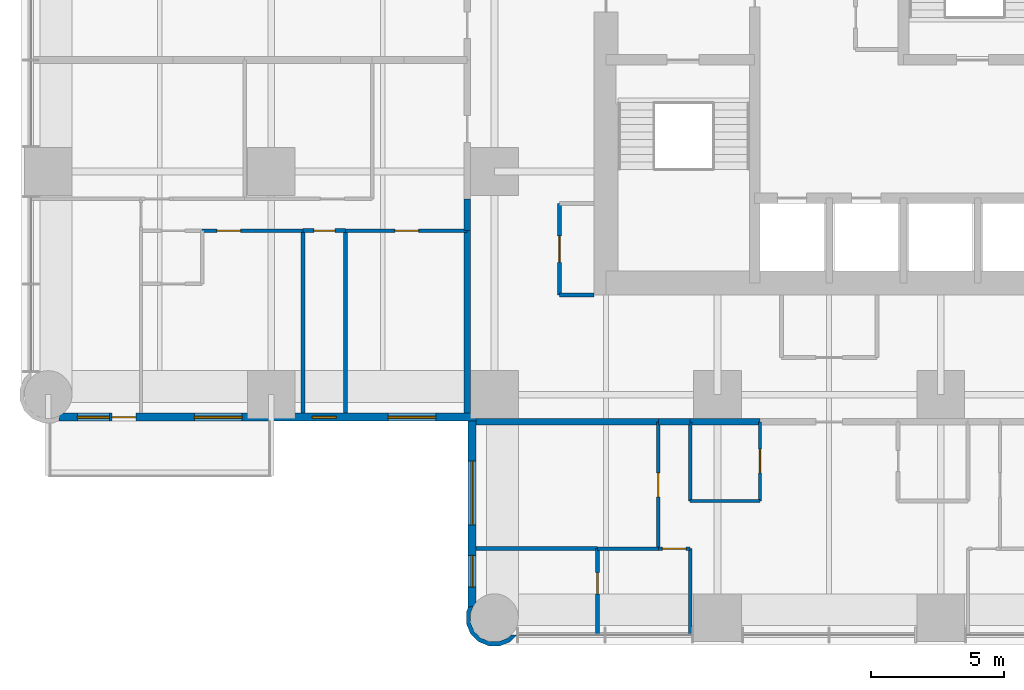
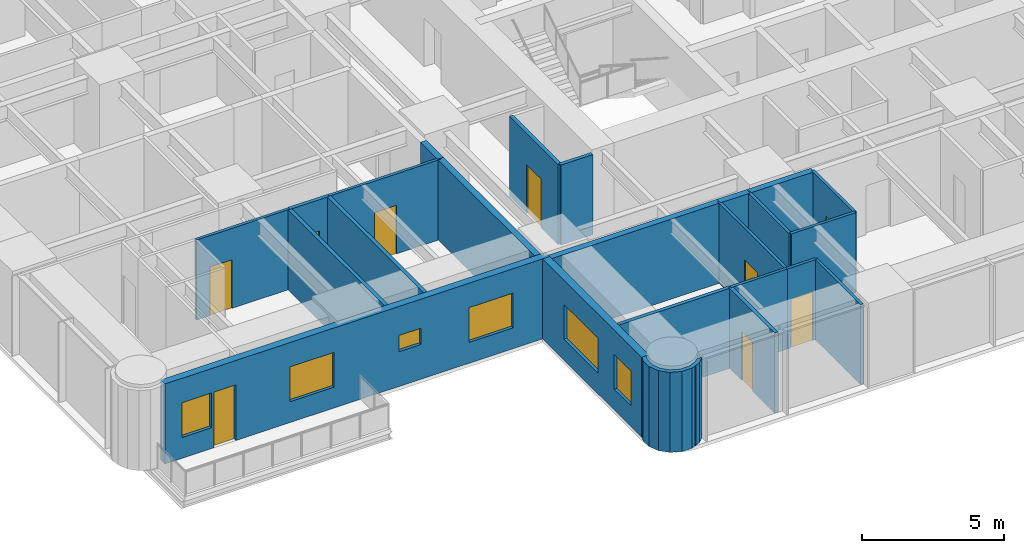
# One storey, part 6 of 14: 24 walls, 9 doors, 6 windows, 15 openings.
"""IFC4 building model written with IfcOpenShell, lengths in metres."""

from ifc_helpers import new_model, si_unit, direction, frame, frame_2d, origin, place, context, subcontext, project, spatial, polyline, rectangle, outline, extrude, material, layer, layer_set, type_object, element, fill, save


model = new_model("IFC4")

# Units and contexts
model_context = context("Model", 3, precision=1e-05, world=origin(), true_north=direction((0.0, 1.0)))
body_context = subcontext(model_context, "Body", "Model", "MODEL_VIEW")
ifc_project = project(units=[si_unit("LENGTHUNIT", "METRE"), si_unit("AREAUNIT", "SQUARE_METRE"), si_unit("VOLUMEUNIT", "CUBIC_METRE"), si_unit("PLANEANGLEUNIT", "RADIAN"), si_unit("MASSUNIT", "GRAM", prefix="KILO")], contexts=[model_context])

# Site, building, storey
site_placement = place(None, origin())
site = spatial("IfcSite", under=ifc_project, at=site_placement, CompositionType="ELEMENT")
building_placement = place(site_placement, origin())
building = spatial("IfcBuilding", under=site, at=building_placement, Name="Torre Alcanfor", CompositionType="ELEMENT")
storey_placement = place(building_placement, frame((0.0, 0.0, 170.10009765625)))
storey = spatial("IfcBuildingStorey", under=building, at=storey_placement, Name="L44", CompositionType="ELEMENT", Elevation=170.10009765625)

# Walls
ifc_material_1 = material(Name="Concrete block masonry, hollow blocks NMX-C-404 9 MPa", Category="masonry")
ifc_layer_1 = layer(ifc_material_1, 0.25)
ifc_layer_set_1 = layer_set([ifc_layer_1], Name="Apartment entrance wall 250 EI 60")
wall_type_1 = type_object("IfcWallType", Name="Apartment entrance wall 250 EI 60", PredefinedType="PARTITIONING", material=ifc_layer_set_1)
wall_1_placement = place(storey_placement, frame((26.800048828125, 15.77490234375, 0.0), z_axis=(0.0, 0.0, 1.0), x_axis=(-1.0, 0.0, 0.0)))
element("IfcWall", 1, at=wall_1_placement, inside=storey, type_object=wall_type_1, Name="Partition L44-CORR / L44-SX-KITCHEN", PredefinedType="PARTITIONING", context=body_context, shape_type="SweptSolid", body=[
    extrude(rectangle(XDim=2.629150390625, YDim=0.25, at=frame_2d((1.314453125, 0.0))), origin(), (0.0, 0.0, 1.0), 3.449951171875),
])
wall_2_placement = place(storey_placement, frame((24.1708984375, 15.77490234375, 0.0), z_axis=(0.0, 0.0, 1.0), x_axis=(-1.0, 0.0, 0.0)))
element("IfcWall", 2, at=wall_2_placement, inside=storey, type_object=wall_type_1, Name="Partition L44-CORR / L44-SX-LIVING", PredefinedType="PARTITIONING", context=body_context, shape_type="SweptSolid", body=[
    extrude(rectangle(XDim=1.199951171875, YDim=0.25, at=frame_2d((0.60009765625, 0.0))), origin(), (0.0, 0.0, 1.0), 3.449951171875),
])
wall_3_placement = place(storey_placement, frame((22.970947265625, 15.77490234375, 0.0), z_axis=(0.0, 0.0, 1.0), x_axis=(-1.0, 0.0, 0.0)))
element("IfcWall", 3, at=wall_3_placement, inside=storey, type_object=wall_type_1, Name="Partition L44-CORR / L44-SX-BED3", PredefinedType="PARTITIONING", context=body_context, shape_type="SweptSolid", body=[
    extrude(rectangle(XDim=6.870849609375, YDim=0.25, at=frame_2d((3.435546875, 0.0))), origin(), (0.0, 0.0, 1.0), 3.449951171875),
])
wall_4_placement = place(storey_placement, frame((15.77490234375, 22.970947265625, 0.0), z_axis=(0.0, 0.0, 1.0), x_axis=(0.0, 1.0, 0.0)))
element("IfcWall", 4, at=wall_4_placement, inside=storey, type_object=wall_type_1, Name="Partition L44-CORR / L44-W1-HALL", PredefinedType="PARTITIONING", context=body_context, shape_type="SweptSolid", body=[
    extrude(rectangle(XDim=1.199951171875, YDim=0.25, at=frame_2d((0.60009765625, 0.0))), origin(), (0.0, 0.0, 1.0), 3.449951171875),
])
wall_5_placement = place(storey_placement, frame((15.77490234375, 16.10009765625, 0.0), z_axis=(0.0, 0.0, 1.0), x_axis=(0.0, 1.0, 0.0)))
element("IfcWall", 5, at=wall_5_placement, inside=storey, type_object=wall_type_1, Name="Partition L44-CORR / L44-W1-BED2", PredefinedType="PARTITIONING", context=body_context, shape_type="SweptSolid", body=[
    extrude(rectangle(XDim=6.870849609375, YDim=0.25, at=frame_2d((3.435546875, 0.0))), origin(), (0.0, 0.0, 1.0), 3.449951171875),
])

# Wall, opening, door
ifc_material_2 = material(Name="Gypsum board on steel studs", Category="steel")
ifc_layer_2 = layer(ifc_material_2, 0.1201171875)
ifc_layer_set_2 = layer_set([ifc_layer_2], Name="Apartment partition 120")
wall_type_2 = type_object("IfcWallType", Name="Apartment partition 120", PredefinedType="PARTITIONING", material=ifc_layer_set_2)
wall_6_placement = place(storey_placement, frame((26.800048828125, 15.77490234375, 0.0), z_axis=(0.0, 0.0, 1.0), x_axis=(0.0, -1.0, 0.0)))
wall_6 = element("IfcWall", 6, at=wall_6_placement, inside=storey, type_object=wall_type_2, Name="Partition L44-SX-ZAG / L44-SX-KITCHEN", PredefinedType="PARTITIONING", context=body_context, shape_type="SweptSolid", body=[
    extrude(rectangle(XDim=2.974853515625, YDim=0.1201171875, at=frame_2d((1.4873046875, 0.0))), origin(), (0.0, 0.0, 1.0), 3.449951171875),
])
opening_1_placement = place(wall_6_placement, frame((1.02490234375, 0.0, 0.0)))
opening_1 = element("IfcOpeningElement", 7, at=opening_1_placement, cuts=wall_6, Name="Opening D-R1", PredefinedType="OPENING", context=body_context, shape_type="SweptSolid", body=[
    extrude(rectangle(XDim=0.89990234375, YDim=2.10009765625, at=frame_2d((0.449951171875, 1.050048828125))), frame((0.0, 0.070068359375, 0.0), z_axis=(0.0, -1.0, 0.0), x_axis=(1.0, 0.0, 0.0)), (0.0, 0.0, 1.0), 0.14013671875),
])
ifc_material_3 = material(Name="Timber", Category="wood")
door_type_1 = type_object("IfcDoorType", Name="Internal door 900x2100", OperationType="SINGLE_SWING_LEFT", PredefinedType="DOOR", material=ifc_material_3)
door_1_placement = place(opening_1_placement, frame((0.89990234375, 0.0, 0.0), z_axis=(0.0, 0.0, 1.0), x_axis=(-1.0, 0.0, 0.0)))
door_1 = element("IfcDoor", 8, at=door_1_placement, inside=storey, type_object=door_type_1, Name="Door L44-SX kitchen", OperationType="SINGLE_SWING_RIGHT", OverallHeight=2.10009765625, OverallWidth=0.89990234375, PredefinedType="DOOR", context=body_context, shape_type="SweptSolid", body=[
    extrude(rectangle(XDim=0.89990234375, YDim=2.10009765625, at=frame_2d((0.449951171875, 1.050048828125))), frame((0.0, 0.025146484375, 0.0), z_axis=(0.0, -1.0, 0.0), x_axis=(1.0, 0.0, 0.0)), (0.0, 0.0, 1.0), 0.050048828125),
])
fill(opening_1, door_1)

# Walls
wall_7_placement = place(storey_placement, frame((24.1708984375, 15.77490234375, 0.0), z_axis=(0.0, 0.0, 1.0), x_axis=(0.0, -1.0, 0.0)))
element("IfcWall", 9, at=wall_7_placement, inside=storey, type_object=wall_type_2, Name="Partition L44-SX-KITCHEN / L44-SX-LIVING", PredefinedType="PARTITIONING", context=body_context, shape_type="SweptSolid", body=[
    extrude(rectangle(XDim=2.974853515625, YDim=0.1201171875, at=frame_2d((1.4873046875, 0.0))), origin(), (0.0, 0.0, 1.0), 3.449951171875),
])
wall_8_placement = place(storey_placement, frame((24.1708984375, 12.800048828125, 0.0), z_axis=(0.0, 0.0, 1.0), x_axis=(1.0, 0.0, 0.0)))
element("IfcWall", 10, at=wall_8_placement, inside=storey, type_object=wall_type_2, Name="Partition L44-SX-KITCHEN / L44-SX-LIVING", PredefinedType="PARTITIONING", context=body_context, shape_type="SweptSolid", body=[
    extrude(rectangle(XDim=2.629150390625, YDim=0.1201171875, at=frame_2d((1.314453125, 0.0))), origin(), (0.0, 0.0, 1.0), 3.449951171875),
])

# Wall, opening, door
wall_9_placement = place(storey_placement, frame((22.970947265625, 11.0, 0.0), z_axis=(0.0, 0.0, 1.0), x_axis=(0.0, 1.0, 0.0)))
wall_9 = element("IfcWall", 11, at=wall_9_placement, inside=storey, type_object=wall_type_2, Name="Partition L44-SX-LIVING / L44-SX-BED3", PredefinedType="PARTITIONING", context=body_context, shape_type="SweptSolid", body=[
    extrude(rectangle(XDim=4.77490234375, YDim=0.1201171875, at=frame_2d((2.387451171875, 0.0))), origin(), (0.0, 0.0, 1.0), 3.449951171875),
])
opening_2_placement = place(wall_9_placement, frame((1.949951171875, 0.0, 0.0)))
opening_2 = element("IfcOpeningElement", 12, at=opening_2_placement, cuts=wall_9, Name="Opening D-R1", PredefinedType="OPENING", context=body_context, shape_type="SweptSolid", body=[
    extrude(rectangle(XDim=0.89990234375, YDim=2.10009765625, at=frame_2d((0.449951171875, 1.050048828125))), frame((0.0, 0.070068359375, 0.0), z_axis=(0.0, -1.0, 0.0), x_axis=(1.0, 0.0, 0.0)), (0.0, 0.0, 1.0), 0.14013671875),
])
door_2_placement = place(opening_2_placement, origin())
door_2 = element("IfcDoor", 13, at=door_2_placement, inside=storey, type_object=door_type_1, Name="Door L44-SX bed3", OperationType="SINGLE_SWING_RIGHT", OverallHeight=2.10009765625, OverallWidth=0.89990234375, PredefinedType="DOOR", context=body_context, shape_type="SweptSolid", body=[
    extrude(rectangle(XDim=0.89990234375, YDim=2.10009765625, at=frame_2d((0.449951171875, 1.050048828125))), frame((0.0, 0.02490234375, 0.0), z_axis=(0.0, -1.0, 0.0), x_axis=(1.0, 0.0, 0.0)), (0.0, 0.0, 1.0), 0.050048828125),
])
fill(opening_2, door_2)

# Wall
wall_10_placement = place(storey_placement, frame((24.1708984375, 7.75, 0.0), z_axis=(0.0, 0.0, 1.0), x_axis=(0.0, 1.0, 0.0)))
element("IfcWall", 14, at=wall_10_placement, inside=storey, type_object=wall_type_2, Name="Partition L44-SX-LIVING / L44-SX-BED1", PredefinedType="PARTITIONING", context=body_context, shape_type="SweptSolid", body=[
    extrude(rectangle(XDim=3.25, YDim=0.1201171875, at=frame_2d((1.625, 0.0))), origin(), (0.0, 0.0, 1.0), 3.449951171875),
])

# Wall, opening, door
wall_11_placement = place(storey_placement, frame((24.1708984375, 11.0, 0.0), z_axis=(0.0, 0.0, 1.0), x_axis=(-1.0, 0.0, 0.0)))
wall_11 = element("IfcWall", 15, at=wall_11_placement, inside=storey, type_object=wall_type_2, Name="Partition L44-SX-LIVING / L44-SX-BED1", PredefinedType="PARTITIONING", context=body_context, shape_type="SweptSolid", body=[
    extrude(rectangle(XDim=1.199951171875, YDim=0.1201171875, at=frame_2d((0.60009765625, 0.0))), origin(), (0.0, 0.0, 1.0), 3.449951171875),
])
opening_3_placement = place(wall_11_placement, frame((0.15087890625, 0.0, 0.0)))
opening_3 = element("IfcOpeningElement", 16, at=opening_3_placement, cuts=wall_11, Name="Opening D-R1", PredefinedType="OPENING", context=body_context, shape_type="SweptSolid", body=[
    extrude(rectangle(XDim=0.89990234375, YDim=2.10009765625, at=frame_2d((0.449951171875, 1.050048828125))), frame((0.0, 0.070068359375, 0.0), z_axis=(0.0, -1.0, 0.0), x_axis=(1.0, 0.0, 0.0)), (0.0, 0.0, 1.0), 0.14013671875),
])
door_3_placement = place(opening_3_placement, origin())
door_3 = element("IfcDoor", 17, at=door_3_placement, inside=storey, type_object=door_type_1, Name="Door L44-SX bed1", OperationType="SINGLE_SWING_LEFT", OverallHeight=2.10009765625, OverallWidth=0.89990234375, PredefinedType="DOOR", context=body_context, shape_type="SweptSolid", body=[
    extrude(rectangle(XDim=0.89990234375, YDim=2.10009765625, at=frame_2d((0.449951171875, 1.050048828125))), frame((0.0, 0.02490234375, 0.0), z_axis=(0.0, -1.0, 0.0), x_axis=(1.0, 0.0, 0.0)), (0.0, 0.0, 1.0), 0.050048828125),
])
fill(opening_3, door_3)

# Wall
wall_12_placement = place(storey_placement, frame((20.68603515625, 11.0, 0.0), z_axis=(0.0, 0.0, 1.0), x_axis=(1.0, 0.0, 0.0)))
element("IfcWall", 18, at=wall_12_placement, inside=storey, type_object=wall_type_2, Name="Partition L44-SX-BED3 / L44-SX-BED1", PredefinedType="PARTITIONING", context=body_context, shape_type="SweptSolid", body=[
    extrude(rectangle(XDim=2.284912109375, YDim=0.1201171875, at=frame_2d((1.142578125, 0.0))), origin(), (0.0, 0.0, 1.0), 3.449951171875),
])

# Wall, opening, door
wall_13_placement = place(storey_placement, frame((11.199951171875, 22.970947265625, 0.0), z_axis=(0.0, 0.0, 1.0), x_axis=(1.0, 0.0, 0.0)))
wall_13 = element("IfcWall", 19, at=wall_13_placement, inside=storey, type_object=wall_type_2, Name="Partition L44-W1-HALL / L44-W1-BED2", PredefinedType="PARTITIONING", context=body_context, shape_type="SweptSolid", body=[
    extrude(rectangle(XDim=4.574951171875, YDim=0.1201171875, at=frame_2d((2.28759765625, 0.0))), origin(), (0.0, 0.0, 1.0), 3.449951171875),
])
opening_4_placement = place(wall_13_placement, frame((1.85009765625, 0.0, 0.0)))
opening_4 = element("IfcOpeningElement", 20, at=opening_4_placement, cuts=wall_13, Name="Opening D-R1", PredefinedType="OPENING", context=body_context, shape_type="SweptSolid", body=[
    extrude(rectangle(XDim=0.89990234375, YDim=2.10009765625, at=frame_2d((0.449951171875, 1.050048828125))), frame((0.0, 0.070068359375, 0.0), z_axis=(0.0, -1.0, 0.0), x_axis=(1.0, 0.0, 0.0)), (0.0, 0.0, 1.0), 0.14013671875),
])
door_4_placement = place(opening_4_placement, frame((0.89990234375, 0.0, 0.0), z_axis=(0.0, 0.0, 1.0), x_axis=(-1.0, 0.0, 0.0)))
door_4 = element("IfcDoor", 21, at=door_4_placement, inside=storey, type_object=door_type_1, Name="Door L44-W1 bed2", OperationType="SINGLE_SWING_LEFT", OverallHeight=2.10009765625, OverallWidth=0.89990234375, PredefinedType="DOOR", context=body_context, shape_type="SweptSolid", body=[
    extrude(rectangle(XDim=0.89990234375, YDim=2.10009765625, at=frame_2d((0.449951171875, 1.050048828125))), frame((0.0, 0.025146484375, 0.0), z_axis=(0.0, -1.0, 0.0), x_axis=(1.0, 0.0, 0.0)), (0.0, 0.0, 1.0), 0.050048828125),
])
fill(opening_4, door_4)

wall_14_placement = place(storey_placement, frame((5.800048828125, 22.970947265625, 0.0), z_axis=(0.0, 0.0, 1.0), x_axis=(1.0, 0.0, 0.0)))
wall_14 = element("IfcWall", 22, at=wall_14_placement, inside=storey, type_object=wall_type_2, Name="Partition L44-W1-HALL / L44-W1-MASTER", PredefinedType="PARTITIONING", context=body_context, shape_type="SweptSolid", body=[
    extrude(rectangle(XDim=3.800048828125, YDim=0.1201171875, at=frame_2d((1.89990234375, 0.0))), origin(), (0.0, 0.0, 1.0), 3.449951171875),
])
opening_5_placement = place(wall_14_placement, frame((0.550048828125, 0.0, 0.0)))
opening_5 = element("IfcOpeningElement", 23, at=opening_5_placement, cuts=wall_14, Name="Opening D-R1", PredefinedType="OPENING", context=body_context, shape_type="SweptSolid", body=[
    extrude(rectangle(XDim=0.89990234375, YDim=2.10009765625, at=frame_2d((0.449951171875, 1.050048828125))), frame((0.0, 0.070068359375, 0.0), z_axis=(0.0, -1.0, 0.0), x_axis=(1.0, 0.0, 0.0)), (0.0, 0.0, 1.0), 0.14013671875),
])
door_5_placement = place(opening_5_placement, frame((0.89990234375, 0.0, 0.0), z_axis=(0.0, 0.0, 1.0), x_axis=(-1.0, 0.0, 0.0)))
door_5 = element("IfcDoor", 24, at=door_5_placement, inside=storey, type_object=door_type_1, Name="Door L44-W1 master", OperationType="SINGLE_SWING_RIGHT", OverallHeight=2.10009765625, OverallWidth=0.89990234375, PredefinedType="DOOR", context=body_context, shape_type="SweptSolid", body=[
    extrude(rectangle(XDim=0.89990234375, YDim=2.10009765625, at=frame_2d((0.449951171875, 1.050048828125))), frame((0.0, 0.025146484375, 0.0), z_axis=(0.0, -1.0, 0.0), x_axis=(1.0, 0.0, 0.0)), (0.0, 0.0, 1.0), 0.050048828125),
])
fill(opening_5, door_5)

# Wall, openings, door, windows
ifc_material_4 = material(Name="Limestone cladding", Category="masonry")
ifc_layer_3 = layer(ifc_material_4, 0.0400390625, Name="Facing")
ifc_material_5 = material(Name="Ventilated air cavity")
ifc_layer_4 = layer(ifc_material_5, 0.02001953125, ventilated=True, Name="Ventilated joint")
ifc_material_6 = material(Name="Mineral wool insulation", Category="insulation")
ifc_layer_5 = layer(ifc_material_6, 0.10009765625, Name="Insulation")
ifc_material_7 = material(Name="Concrete f'c 35 MPa", Category="concrete")
ifc_layer_6 = layer(ifc_material_7, 0.139892578125, Name="Backing")
ifc_layer_set_3 = layer_set([ifc_layer_3, ifc_layer_4, ifc_layer_5, ifc_layer_6], Name="External wall stone-clad 300")
wall_type_3 = type_object("IfcWallType", Name="External wall stone-clad 300", PredefinedType="SOLIDWALL", material=ifc_layer_set_3)
wall_15_placement = place(storey_placement, frame((0.39990234375, 15.949951171875, 0.0), z_axis=(0.0, 0.0, 1.0), x_axis=(1.0, 0.0, 0.0)))
wall_15 = element("IfcWall", 25, at=wall_15_placement, inside=storey, type_object=wall_type_3, Name="External wall L44 3", PredefinedType="SOLIDWALL", context=body_context, shape_type="SweptSolid", body=[
    extrude(rectangle(XDim=15.7001953125, YDim=0.300048828125, at=frame_2d((7.85009765625, 0.0))), origin(), (0.0, 0.0, 1.0), 3.449951171875),
])
opening_6_placement = place(wall_15_placement, frame((12.39990234375, 0.0, 0.89990234375)))
opening_6 = element("IfcOpeningElement", 26, at=opening_6_placement, cuts=wall_15, Name="Opening W2", PredefinedType="OPENING", context=body_context, shape_type="SweptSolid", body=[
    extrude(rectangle(XDim=1.800048828125, YDim=1.5, at=frame_2d((0.89990234375, 0.75))), frame((0.0, 0.159912109375, 0.0), z_axis=(0.0, -1.0, 0.0), x_axis=(1.0, 0.0, 0.0)), (0.0, 0.0, 1.0), 0.320068359375),
])
opening_7_placement = place(wall_15_placement, frame((9.550048828125, 0.0, 1.5)))
opening_7 = element("IfcOpeningElement", 27, at=opening_7_placement, cuts=wall_15, Name="Opening W3", PredefinedType="OPENING", context=body_context, shape_type="SweptSolid", body=[
    extrude(rectangle(XDim=0.89990234375, YDim=0.699951171875, at=frame_2d((0.449951171875, 0.35009765625))), frame((0.0, 0.159912109375, 0.0), z_axis=(0.0, -1.0, 0.0), x_axis=(1.0, 0.0, 0.0)), (0.0, 0.0, 1.0), 0.320068359375),
])
opening_8_placement = place(wall_15_placement, frame((5.10009765625, 0.0, 0.89990234375)))
opening_8 = element("IfcOpeningElement", 28, at=opening_8_placement, cuts=wall_15, Name="Opening W2", PredefinedType="OPENING", context=body_context, shape_type="SweptSolid", body=[
    extrude(rectangle(XDim=1.800048828125, YDim=1.5, at=frame_2d((0.89990234375, 0.75))), frame((0.0, 0.159912109375, 0.0), z_axis=(0.0, -1.0, 0.0), x_axis=(1.0, 0.0, 0.0)), (0.0, 0.0, 1.0), 0.320068359375),
])
opening_9_placement = place(wall_15_placement, frame((2.0, 0.0, 0.0)))
opening_9 = element("IfcOpeningElement", 29, at=opening_9_placement, cuts=wall_15, Name="Opening D-B1", PredefinedType="OPENING", context=body_context, shape_type="SweptSolid", body=[
    extrude(rectangle(XDim=0.89990234375, YDim=2.39990234375, at=frame_2d((0.449951171875, 1.199951171875))), frame((0.0, 0.159912109375, 0.0), z_axis=(0.0, -1.0, 0.0), x_axis=(1.0, 0.0, 0.0)), (0.0, 0.0, 1.0), 0.320068359375),
])
opening_10_placement = place(wall_15_placement, frame((0.699951171875, 0.0, 0.89990234375)))
opening_10 = element("IfcOpeningElement", 30, at=opening_10_placement, cuts=wall_15, Name="Opening W4", PredefinedType="OPENING", context=body_context, shape_type="SweptSolid", body=[
    extrude(rectangle(XDim=1.199951171875, YDim=1.5, at=frame_2d((0.60009765625, 0.75))), frame((0.0, 0.159912109375, 0.0), z_axis=(0.0, -1.0, 0.0), x_axis=(1.0, 0.0, 0.0)), (0.0, 0.0, 1.0), 0.320068359375),
])
ifc_material_8 = material(Name="Aluminium and glass", Category="aluminium")
door_type_2 = type_object("IfcDoorType", Name="Balcony door glazed 900x2400", OperationType="SINGLE_SWING_LEFT", PredefinedType="DOOR", material=ifc_material_8)
door_6_placement = place(opening_9_placement, origin())
door_6 = element("IfcDoor", 31, at=door_6_placement, inside=storey, type_object=door_type_2, Name="Balcony door L44-W1", OperationType="SINGLE_SWING_RIGHT", OverallHeight=2.39990234375, OverallWidth=0.89990234375, PredefinedType="DOOR", context=body_context, shape_type="SweptSolid", body=[
    extrude(rectangle(XDim=0.89990234375, YDim=2.39990234375, at=frame_2d((0.449951171875, 1.199951171875))), frame((0.0, 0.02490234375, 0.0), z_axis=(0.0, -1.0, 0.0), x_axis=(1.0, 0.0, 0.0)), (0.0, 0.0, 1.0), 0.050048828125),
])
fill(opening_9, door_6)
ifc_material_9 = material(Name="Aluminium frame with clear double glazing", Category="aluminium")
window_type_1 = type_object("IfcWindowType", Name="Window bathroom 900x700", PartitioningType="SINGLE_PANEL", PredefinedType="WINDOW", material=ifc_material_9)
window_1_placement = place(opening_7_placement, origin())
window_1 = element("IfcWindow", 32, at=window_1_placement, inside=storey, type_object=window_type_1, Name="Window W3 L44-W1", OverallHeight=0.699951171875, OverallWidth=0.89990234375, PartitioningType="SINGLE_PANEL", PredefinedType="WINDOW", context=body_context, shape_type="SweptSolid", body=[
    extrude(rectangle(XDim=0.89990234375, YDim=0.699951171875, at=frame_2d((0.449951171875, 0.35009765625))), frame((0.0, 0.030029296875, 0.0), z_axis=(0.0, -1.0, 0.0), x_axis=(1.0, 0.0, 0.0)), (0.0, 0.0, 1.0), 0.06005859375),
])
fill(opening_7, window_1)
ifc_material_10 = material(Name="Aluminium frame with clear double glazing", Category="aluminium")
window_type_2 = type_object("IfcWindowType", Name="Window bedroom 1200x1500", PartitioningType="SINGLE_PANEL", PredefinedType="WINDOW", material=ifc_material_10)
window_2_placement = place(opening_10_placement, origin())
window_2 = element("IfcWindow", 33, at=window_2_placement, inside=storey, type_object=window_type_2, Name="Window W4 L44-W1", OverallHeight=1.5, OverallWidth=1.199951171875, PartitioningType="SINGLE_PANEL", PredefinedType="WINDOW", context=body_context, shape_type="SweptSolid", body=[
    extrude(rectangle(XDim=1.199951171875, YDim=1.5, at=frame_2d((0.60009765625, 0.75))), frame((0.0, 0.030029296875, 0.0), z_axis=(0.0, -1.0, 0.0), x_axis=(1.0, 0.0, 0.0)), (0.0, 0.0, 1.0), 0.06005859375),
])
fill(opening_10, window_2)
ifc_material_11 = material(Name="Aluminium frame with clear double glazing", Category="aluminium")
window_type_3 = type_object("IfcWindowType", Name="Window bedroom 1800x1500", PartitioningType="SINGLE_PANEL", PredefinedType="WINDOW", material=ifc_material_11)
window_3_placement = place(opening_6_placement, origin())
window_3 = element("IfcWindow", 34, at=window_3_placement, inside=storey, type_object=window_type_3, Name="Window W2 L44-W1", OverallHeight=1.5, OverallWidth=1.800048828125, PartitioningType="SINGLE_PANEL", PredefinedType="WINDOW", context=body_context, shape_type="SweptSolid", body=[
    extrude(rectangle(XDim=1.800048828125, YDim=1.5, at=frame_2d((0.89990234375, 0.75))), frame((0.0, 0.030029296875, 0.0), z_axis=(0.0, -1.0, 0.0), x_axis=(1.0, 0.0, 0.0)), (0.0, 0.0, 1.0), 0.06005859375),
])
fill(opening_6, window_3)
window_4_placement = place(opening_8_placement, origin())
window_4 = element("IfcWindow", 35, at=window_4_placement, inside=storey, type_object=window_type_3, Name="Window W2 L44-W1", OverallHeight=1.5, OverallWidth=1.800048828125, PartitioningType="SINGLE_PANEL", PredefinedType="WINDOW", context=body_context, shape_type="SweptSolid", body=[
    extrude(rectangle(XDim=1.800048828125, YDim=1.5, at=frame_2d((0.89990234375, 0.75))), frame((0.0, 0.030029296875, 0.0), z_axis=(0.0, -1.0, 0.0), x_axis=(1.0, 0.0, 0.0)), (0.0, 0.0, 1.0), 0.06005859375),
])
fill(opening_8, window_4)

# Wall, openings, windows
wall_16_placement = place(storey_placement, frame((15.949951171875, 15.800048828125, 0.0), z_axis=(0.0, 0.0, 1.0), x_axis=(0.0, -1.0, 0.0)))
wall_16 = element("IfcWall", 36, at=wall_16_placement, inside=storey, type_object=wall_type_3, Name="External wall L44 4", PredefinedType="SOLIDWALL", context=body_context, shape_type="SweptSolid", body=[
    extrude(rectangle(XDim=7.0, YDim=0.300048828125, at=frame_2d((3.5, 0.0))), origin(), (0.0, 0.0, 1.0), 3.449951171875),
])
opening_11_placement = place(wall_16_placement, frame((1.5, 0.0, 0.89990234375)))
opening_11 = element("IfcOpeningElement", 37, at=opening_11_placement, cuts=wall_16, Name="Opening W1", PredefinedType="OPENING", context=body_context, shape_type="SweptSolid", body=[
    extrude(rectangle(XDim=2.39990234375, YDim=1.5, at=frame_2d((1.199951171875, 0.75))), frame((0.0, 0.159912109375, 0.0), z_axis=(0.0, -1.0, 0.0), x_axis=(1.0, 0.0, 0.0)), (0.0, 0.0, 1.0), 0.320068359375),
])
opening_12_placement = place(wall_16_placement, frame((5.050048828125, 0.0, 0.89990234375)))
opening_12 = element("IfcOpeningElement", 38, at=opening_12_placement, cuts=wall_16, Name="Opening W4", PredefinedType="OPENING", context=body_context, shape_type="SweptSolid", body=[
    extrude(rectangle(XDim=1.199951171875, YDim=1.5, at=frame_2d((0.60009765625, 0.75))), frame((0.0, 0.159912109375, 0.0), z_axis=(0.0, -1.0, 0.0), x_axis=(1.0, 0.0, 0.0)), (0.0, 0.0, 1.0), 0.320068359375),
])
window_5_placement = place(opening_12_placement, origin())
window_5 = element("IfcWindow", 39, at=window_5_placement, inside=storey, type_object=window_type_2, Name="Window W4 L44-S2", OverallHeight=1.5, OverallWidth=1.199951171875, PartitioningType="SINGLE_PANEL", PredefinedType="WINDOW", context=body_context, shape_type="SweptSolid", body=[
    extrude(rectangle(XDim=1.199951171875, YDim=1.5, at=frame_2d((0.60009765625, 0.75))), frame((0.0, 0.030029296875, 0.0), z_axis=(0.0, -1.0, 0.0), x_axis=(1.0, 0.0, 0.0)), (0.0, 0.0, 1.0), 0.06005859375),
])
fill(opening_12, window_5)
ifc_material_12 = material(Name="Aluminium frame with clear double glazing", Category="aluminium")
window_type_4 = type_object("IfcWindowType", Name="Window bedroom 2400x1500", PartitioningType="SINGLE_PANEL", PredefinedType="WINDOW", material=ifc_material_12)
window_6_placement = place(opening_11_placement, origin())
window_6 = element("IfcWindow", 40, at=window_6_placement, inside=storey, type_object=window_type_4, Name="Window W1 L44-S2", OverallHeight=1.5, OverallWidth=2.39990234375, PartitioningType="SINGLE_PANEL", PredefinedType="WINDOW", context=body_context, shape_type="SweptSolid", body=[
    extrude(rectangle(XDim=2.39990234375, YDim=1.5, at=frame_2d((1.199951171875, 0.75))), frame((0.0, 0.030029296875, 0.0), z_axis=(0.0, -1.0, 0.0), x_axis=(1.0, 0.0, 0.0)), (0.0, 0.0, 1.0), 0.06005859375),
])
fill(opening_11, window_6)

# Wall, opening, door
ifc_material_13 = material(Name="Concrete block masonry, hollow blocks NMX-C-404 9 MPa", Category="masonry")
ifc_layer_7 = layer(ifc_material_13, 0.14990234375)
ifc_layer_set_4 = layer_set([ifc_layer_7], Name="Residents' room partition 150")
wall_type_4 = type_object("IfcWallType", Name="Residents' room partition 150", PredefinedType="PARTITIONING", material=ifc_layer_set_4)
wall_17_placement = place(storey_placement, frame((19.25, 24.0, 0.0), z_axis=(0.0, 0.0, 1.0), x_axis=(0.0, -1.0, 0.0)))
wall_17 = element("IfcWall", 41, at=wall_17_placement, inside=storey, type_object=wall_type_4, Name="Partition L44-CORR / L44-G05", PredefinedType="PARTITIONING", context=body_context, shape_type="SweptSolid", body=[
    extrude(rectangle(XDim=3.449951171875, YDim=0.14990234375, at=frame_2d((1.72509765625, 0.0))), origin(), (0.0, 0.0, 1.0), 3.449951171875),
])
opening_13_placement = place(wall_17_placement, frame((1.22509765625, 0.0, 0.0)))
opening_13 = element("IfcOpeningElement", 42, at=opening_13_placement, cuts=wall_17, Name="Opening D-M1", PredefinedType="OPENING", context=body_context, shape_type="SweptSolid", body=[
    extrude(rectangle(XDim=1.0, YDim=2.10009765625, at=frame_2d((0.5, 1.050048828125))), frame((0.0, 0.0849609375, 0.0), z_axis=(0.0, -1.0, 0.0), x_axis=(1.0, 0.0, 0.0)), (0.0, 0.0, 1.0), 0.169921875),
])
ifc_material_14 = material(Name="Timber", Category="wood")
door_type_3 = type_object("IfcDoorType", Name="Residents' room door 1000x2100", OperationType="SINGLE_SWING_LEFT", PredefinedType="DOOR", material=ifc_material_14)
door_7_placement = place(opening_13_placement, origin())
door_7 = element("IfcDoor", 43, at=door_7_placement, inside=storey, type_object=door_type_3, Name="Door L44-G05 bicycle store", OperationType="SINGLE_SWING_LEFT", OverallHeight=2.10009765625, OverallWidth=1.0, PredefinedType="DOOR", context=body_context, shape_type="SweptSolid", body=[
    extrude(rectangle(XDim=1.0, YDim=2.10009765625, at=frame_2d((0.5, 1.050048828125))), frame((0.0, 0.02490234375, 0.0), z_axis=(0.0, -1.0, 0.0), x_axis=(1.0, 0.0, 0.0)), (0.0, 0.0, 1.0), 0.050048828125),
])
fill(opening_13, door_7)

# Walls
wall_18_placement = place(storey_placement, frame((19.25, 20.550048828125, 0.0), z_axis=(0.0, 0.0, 1.0), x_axis=(1.0, 0.0, 0.0)))
element("IfcWall", 44, at=wall_18_placement, inside=storey, type_object=wall_type_4, Name="Partition L44-CORR / L44-G05", PredefinedType="PARTITIONING", context=body_context, shape_type="SweptSolid", body=[
    extrude(rectangle(XDim=1.300048828125, YDim=0.14990234375, at=frame_2d((0.64990234375, 0.0))), origin(), (0.0, 0.0, 1.0), 3.449951171875),
])
ifc_layer_8 = layer(ifc_material_4, 0.0400390625, Name="Facing")
ifc_layer_9 = layer(ifc_material_5, 0.02001953125, ventilated=True, Name="Ventilated joint")
ifc_layer_10 = layer(ifc_material_6, 0.10009765625, Name="Insulation")
ifc_layer_11 = layer(ifc_material_7, 0.139892578125, Name="Backing")
ifc_layer_set_5 = layer_set([ifc_layer_8, ifc_layer_9, ifc_layer_10, ifc_layer_11], Name="Rounded corner pier stone-clad 300")
wall_type_5 = type_object("IfcWallType", Name="Rounded corner pier stone-clad 300", PredefinedType="SOLIDWALL", material=ifc_layer_set_5)
wall_19_placement = place(storey_placement, frame((15.890092843, 8.763962863, 0.0), z_axis=(0.0, 0.0, 1.0), x_axis=(-0.377204953059, -0.926129809145, 0.0)))
element("IfcWall", 45, at=wall_19_placement, inside=storey, type_object=wall_type_5, Name="Corner pier L44 15", PredefinedType="SOLIDWALL", context=body_context, shape_type="SweptSolid", body=[
    extrude(outline(polyline([(0.36034450563262843, 1.8033619899607123), (0.5087163816434637, 1.7406849604818813), (0.7606633711668922, 1.4858405177128808), (0.8958530369605706, 1.1539170411930133), (0.8937490742070667, 0.7953361489494798), (0.7546416521813281, 0.46504770091033776), (0.4997972094123275, 0.21310071138690906), (0.1678737328924601, 0.07791104559323066), (-0.0998497966361302, 0.07958729129442146), (0.0005447604101438894, -0.09700425109193639), (0.030089737096421466, -0.0802257793910609), (0.1984312400342189, -0.08125573898961119), (0.5889161473569784, 0.07778550952924612), (0.8889089943842856, 0.3742188369041392), (1.0524490442690833, 0.7629634351611959), (1.0550198215434126, 1.184474548334772), (0.8959785730245553, 1.5749594556575315), (0.7777586267704055, 1.6949950795784703), (0.7692120588982145, 1.727629228262059), (0.7501105844804216, 1.7227491090374158), (0.599545245649662, 1.874952302684839), (0.2946204636318348, 2.0035646420255806), (0.2810541090056822, 1.9980391788460024), (0.36034450563262843, 1.8033619899607123)])), origin(), (0.0, 0.0, 1.0), 3.449951171875),
])
ifc_material_15 = material(Name="Cement board on steel studs", Category="steel")
ifc_layer_12 = layer(ifc_material_15, 0.14990234375)
ifc_layer_set_6 = layer_set([ifc_layer_12], Name="Wet area partition 150")
wall_type_6 = type_object("IfcWallType", Name="Wet area partition 150", PredefinedType="PARTITIONING", material=ifc_layer_set_6)
wall_20_placement = place(storey_placement, frame((16.10009765625, 11.0, 0.0), z_axis=(0.0, 0.0, 1.0), x_axis=(1.0, 0.0, 0.0)))
element("IfcWall", 46, at=wall_20_placement, inside=storey, type_object=wall_type_6, Name="Partition L44-SX-BED3 / L44-SX-BATH1", PredefinedType="PARTITIONING", context=body_context, shape_type="SweptSolid", body=[
    extrude(rectangle(XDim=4.5859375, YDim=0.14990234375, at=frame_2d((2.29296875, 0.0))), origin(), (0.0, 0.0, 1.0), 3.449951171875),
])

# Wall, opening, door
wall_21_placement = place(storey_placement, frame((20.68603515625, 7.75, 0.0), z_axis=(0.0, 0.0, 1.0), x_axis=(0.0, 1.0, 0.0)))
wall_21 = element("IfcWall", 47, at=wall_21_placement, inside=storey, type_object=wall_type_6, Name="Partition L44-SX-BATH1 / L44-SX-BED1", PredefinedType="PARTITIONING", context=body_context, shape_type="SweptSolid", body=[
    extrude(rectangle(XDim=3.25, YDim=0.14990234375, at=frame_2d((1.625, 0.0))), origin(), (0.0, 0.0, 1.0), 3.449951171875),
])
opening_14_placement = place(wall_21_placement, frame((1.550048828125, 0.0, 0.0)))
opening_14 = element("IfcOpeningElement", 48, at=opening_14_placement, cuts=wall_21, Name="Opening D-R2", PredefinedType="OPENING", context=body_context, shape_type="SweptSolid", body=[
    extrude(rectangle(XDim=0.800048828125, YDim=2.10009765625, at=frame_2d((0.39990234375, 1.050048828125))), frame((0.0, 0.0849609375, 0.0), z_axis=(0.0, -1.0, 0.0), x_axis=(1.0, 0.0, 0.0)), (0.0, 0.0, 1.0), 0.169921875),
])
ifc_material_16 = material(Name="Timber", Category="wood")
door_type_4 = type_object("IfcDoorType", Name="Bathroom door 800x2100", OperationType="SINGLE_SWING_LEFT", PredefinedType="DOOR", material=ifc_material_16)
door_8_placement = place(opening_14_placement, frame((0.800048828125, 0.0, 0.0), z_axis=(0.0, 0.0, 1.0), x_axis=(-1.0, 0.0, 0.0)))
door_8 = element("IfcDoor", 49, at=door_8_placement, inside=storey, type_object=door_type_4, Name="Door L44-SX bath1", OperationType="SINGLE_SWING_LEFT", OverallHeight=2.10009765625, OverallWidth=0.800048828125, PredefinedType="DOOR", context=body_context, shape_type="SweptSolid", body=[
    extrude(rectangle(XDim=0.800048828125, YDim=2.10009765625, at=frame_2d((0.400146484375, 1.050048828125))), frame((0.0, 0.025146484375, 0.0), z_axis=(0.0, -1.0, 0.0), x_axis=(1.0, 0.0, 0.0)), (0.0, 0.0, 1.0), 0.050048828125),
])
fill(opening_14, door_8)

wall_22_placement = place(storey_placement, frame((9.60009765625, 22.970947265625, 0.0), z_axis=(0.0, 0.0, 1.0), x_axis=(1.0, 0.0, 0.0)))
wall_22 = element("IfcWall", 50, at=wall_22_placement, inside=storey, type_object=wall_type_6, Name="Partition L44-W1-HALL / L44-W1-BATH1", PredefinedType="PARTITIONING", context=body_context, shape_type="SweptSolid", body=[
    extrude(rectangle(XDim=1.599853515625, YDim=0.14990234375, at=frame_2d((0.7998046875, 0.0))), origin(), (0.0, 0.0, 1.0), 3.449951171875),
])
opening_15_placement = place(wall_22_placement, frame((0.39990234375, 0.0, 0.0)))
opening_15 = element("IfcOpeningElement", 51, at=opening_15_placement, cuts=wall_22, Name="Opening D-R2", PredefinedType="OPENING", context=body_context, shape_type="SweptSolid", body=[
    extrude(rectangle(XDim=0.800048828125, YDim=2.10009765625, at=frame_2d((0.39990234375, 1.050048828125))), frame((0.0, 0.0849609375, 0.0), z_axis=(0.0, -1.0, 0.0), x_axis=(1.0, 0.0, 0.0)), (0.0, 0.0, 1.0), 0.169921875),
])
door_9_placement = place(opening_15_placement, frame((0.800048828125, 0.0, 0.0), z_axis=(0.0, 0.0, 1.0), x_axis=(-1.0, 0.0, 0.0)))
door_9 = element("IfcDoor", 52, at=door_9_placement, inside=storey, type_object=door_type_4, Name="Door L44-W1 bath1", OperationType="SINGLE_SWING_RIGHT", OverallHeight=2.10009765625, OverallWidth=0.800048828125, PredefinedType="DOOR", context=body_context, shape_type="SweptSolid", body=[
    extrude(rectangle(XDim=0.800048828125, YDim=2.10009765625, at=frame_2d((0.400146484375, 1.050048828125))), frame((0.0, 0.025146484375, 0.0), z_axis=(0.0, -1.0, 0.0), x_axis=(1.0, 0.0, 0.0)), (0.0, 0.0, 1.0), 0.050048828125),
])
fill(opening_15, door_9)

# Walls
for number, where, z_axis, x_axis, name in (
    (53, (11.199951171875, 22.970947265625, 0.0), (0.0, 0.0, 1.0), (0.0, -1.0, 0.0), "Partition L44-W1-BED2 / L44-W1-BATH1"),
    (54, (9.60009765625, 22.970947265625, 0.0), (0.0, 0.0, 1.0), (0.0, -1.0, 0.0), "Partition L44-W1-BATH1 / L44-W1-MASTER"),
):
    element("IfcWall", number, at=place(storey_placement, frame(where, z_axis=z_axis, x_axis=x_axis)), inside=storey, type_object=wall_type_6, Name=name, PredefinedType="PARTITIONING", context=body_context, shape_type="SweptSolid", body=[
        extrude(rectangle(XDim=6.870849609375, YDim=0.14990234375, at=frame_2d((3.435546875, 0.0))), origin(), (0.0, 0.0, 1.0), 3.449951171875),
    ])

save(model, "model.ifc")
